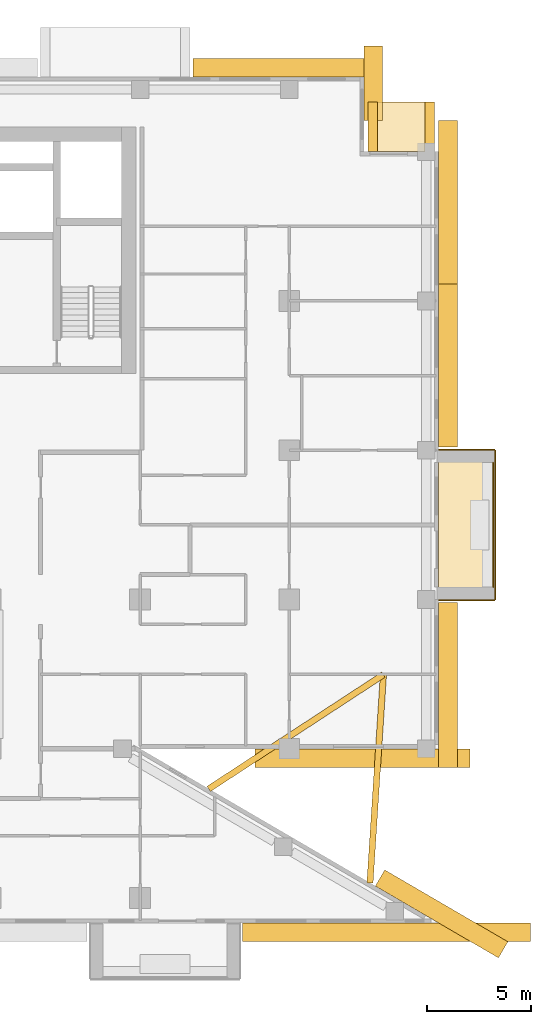
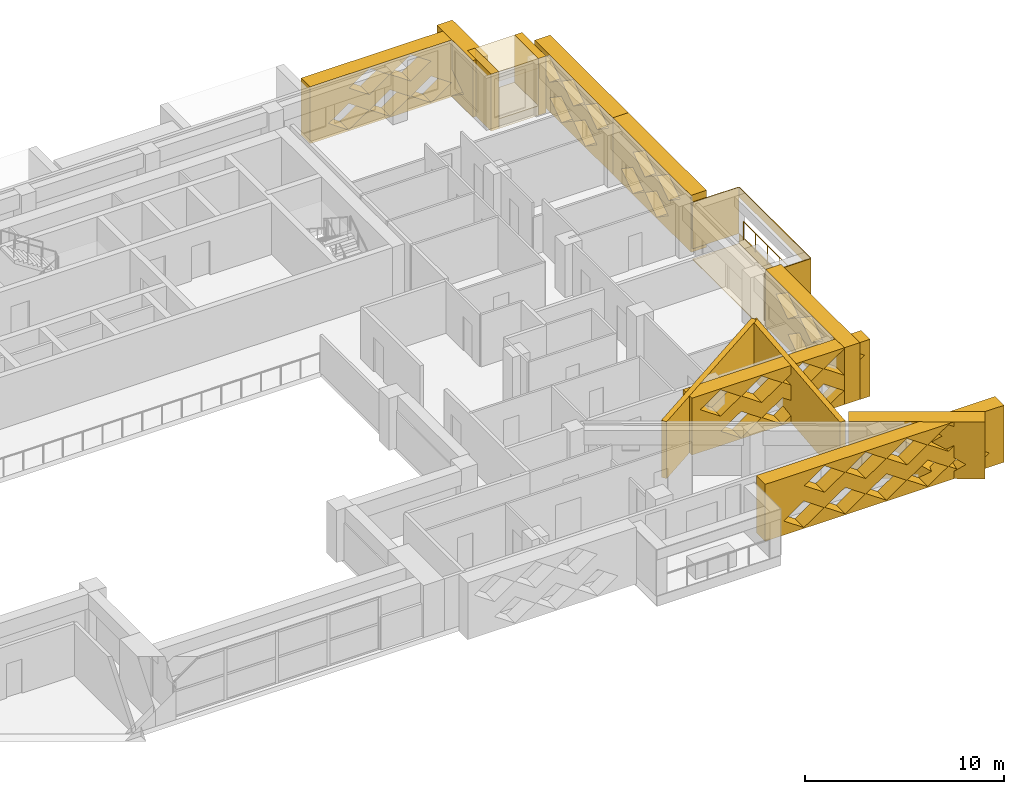
# One storey, part 20 of 20: 19 coverings, 1 railing.
"""IFC4 building model written with IfcOpenShell, lengths in metres."""

from ifc_helpers import new_model, si_unit, direction, frame, origin, origin_2d, place, context, subcontext, project, spatial, polyline, circle, outline, extrude, material, layer, layer_set, type_object, element, save


model = new_model("IFC4")

# Units and contexts
model_context = context("Model", 3, precision=1e-05, world=origin(), true_north=direction((0.0, 1.0)))
body_context = subcontext(model_context, "Body", "Model", "MODEL_VIEW")
ifc_project = project(units=[si_unit("LENGTHUNIT", "METRE"), si_unit("AREAUNIT", "SQUARE_METRE"), si_unit("VOLUMEUNIT", "CUBIC_METRE"), si_unit("PLANEANGLEUNIT", "RADIAN"), si_unit("MASSUNIT", "GRAM", prefix="KILO")], contexts=[model_context])

# Site, building, storey
site_placement = place(None, origin())
site = spatial("IfcSite", under=ifc_project, at=site_placement, CompositionType="ELEMENT")
building_placement = place(site_placement, origin())
building = spatial("IfcBuilding", under=site, at=building_placement, Name="Saffron Iwan Residences", CompositionType="ELEMENT")
storey_placement = place(building_placement, frame((0.0, 0.0, 146.5)))
storey = spatial("IfcBuildingStorey", under=building, at=storey_placement, Name="L38", CompositionType="ELEMENT", Elevation=146.5)

# Railing
ifc_material_1 = material(Name="Stainless steel 316", Category="steel")
railing_type = type_object("IfcRailingType", Name="BALCONY GUARD 1150", PredefinedType="GUARDRAIL", material=ifc_material_1)
railing_placement = place(storey_placement, frame((89.02490234375, 55.800048828125, 0.0)))
element("IfcRailing", 1, at=railing_placement, inside=storey, type_object=railing_type, Name="Balcony guard L38 F2-0", PredefinedType="GUARDRAIL", context=body_context, shape_type="SweptSolid", body=[
    extrude(circle(Radius=0.02392578125, at=origin_2d()), frame((0.0, 0.0, 1.1259765625), z_axis=(0.0, 1.0, 0.0), x_axis=(-1.0, 0.0, 0.0)), (0.0, 0.0, 1.0), 6.0),
    extrude(circle(Radius=0.02099609375, at=origin_2d()), origin(), (0.0, 0.0, 1.0), 1.101806640625),
    extrude(circle(Radius=0.02099609375, at=origin_2d()), frame((0.0, 1.199951171875, 0.0)), (0.0, 0.0, 1.0), 1.101806640625),
    extrude(circle(Radius=0.02099609375, at=origin_2d()), frame((0.0, 2.39990234375, 0.0)), (0.0, 0.0, 1.0), 1.101806640625),
    extrude(circle(Radius=0.02099609375, at=origin_2d()), frame((0.0, 3.60009765625, 0.0)), (0.0, 0.0, 1.0), 1.101806640625),
    extrude(circle(Radius=0.02099609375, at=origin_2d()), frame((0.0, 4.800048828125, 0.0)), (0.0, 0.0, 1.0), 1.101806640625),
    extrude(circle(Radius=0.02099609375, at=origin_2d()), frame((0.0, 6.0, 0.0)), (0.0, 0.0, 1.0), 1.101806640625),
])

# Coverings
ifc_material_2 = material(Name="Precast concrete C40/50 white painted", Category="concrete")
ifc_layer_1 = layer(ifc_material_2, 0.050048828125)
ifc_layer_set_1 = layer_set([ifc_layer_1], Name="Precast concrete C40/50 white painted")
covering_type_1 = type_object("IfcCoveringType", Name="FRAME SKIN PRECAST WHITE 50", PredefinedType="CLADDING", material=ifc_layer_set_1)
for number, where, name in (
    (2, (0.0, 0.0, -0.60009765625), "Frame skin slab edge L38 F2-0"),
    (3, (0.0, 0.0, 2.25), "Frame skin fascia L38 F2-0"),
):
    element("IfcCovering", number, at=place(storey_placement, frame(where)), inside=storey, type_object=covering_type_1, Name=name, PredefinedType="CLADDING", context=body_context, shape_type="SweptSolid", body=[
        extrude(outline(polyline([(89.14990234375, 55.199951171875), (89.14990234375, 62.39990234375), (89.10009765625, 62.39990234375), (89.10009765625, 55.199951171875), (89.14990234375, 55.199951171875)])), origin(), (0.0, 0.0, 1.0), 0.60009765625),
    ])
covering_1_placement = place(storey_placement, frame((0.0, 0.0, -0.64990234375)))
element("IfcCovering", 4, at=covering_1_placement, inside=storey, type_object=covering_type_1, Name="Frame skin soffit L38 F2-0", PredefinedType="CLADDING", context=body_context, shape_type="SweptSolid", body=[
    extrude(outline(polyline([(89.10009765625, 55.199951171875), (89.10009765625, 62.39990234375), (86.39990234375, 62.39990234375), (86.39990234375, 55.199951171875), (89.10009765625, 55.199951171875)])), origin(), (0.0, 0.0, 1.0), 0.0498046875),
])
covering_2_placement = place(storey_placement, origin())
element("IfcCovering", 5, at=covering_2_placement, inside=storey, type_object=covering_type_1, Name="Frame skin fin L38 F2-0a", PredefinedType="CLADDING", context=body_context, shape_type="SweptSolid", body=[
    extrude(outline(polyline([(89.10009765625, 55.14990234375), (89.10009765625, 55.199951171875), (86.39990234375, 55.199951171875), (86.39990234375, 55.14990234375), (89.10009765625, 55.14990234375)])), origin(), (0.0, 0.0, 1.0), 2.85009765625),
])
covering_3_placement = place(storey_placement, origin())
element("IfcCovering", 6, at=covering_3_placement, inside=storey, type_object=covering_type_1, Name="Frame skin fin L38 F2-0b", PredefinedType="CLADDING", context=body_context, shape_type="SweptSolid", body=[
    extrude(outline(polyline([(89.10009765625, 62.39990234375), (89.10009765625, 62.449951171875), (86.39990234375, 62.449951171875), (86.39990234375, 62.39990234375), (89.10009765625, 62.39990234375)])), origin(), (0.0, 0.0, 1.0), 2.85009765625),
])
ifc_material_3 = material(Name="Precast concrete C40/50", Category="concrete")
covering_type_2 = type_object("IfcCoveringType", Name="OUTER SKIN LATTICE SCREEN", PredefinedType="CLADDING", material=ifc_material_3)
covering_4_placement = place(storey_placement, frame((89.283935546875, 37.917724609375, -0.300048828125), z_axis=(0.503803550485, 0.863818257806, 0.0), x_axis=(-0.863818257806, 0.503803550485, 0.0)))
element("IfcCovering", 7, at=covering_4_placement, inside=storey, type_object=covering_type_2, Name="OUTER SKIN lattice screen L38 F0.0", PredefinedType="CLADDING", context=body_context, shape_type="SweptSolid", body=[
    extrude(outline(polyline([(0.0, 0.0), (6.874267578125, 0.0), (6.874267578125, 3.5), (0.0, 3.5), (0.0, 0.0)]), holes=[polyline([(0.958740234375, 0.875), (2.138671875, 0.06005859375), (3.318603515625, 0.875), (2.138671875, 1.68994140625), (0.958740234375, 0.875)]), polyline([(3.358642578125, 0.875), (4.538818359375, 0.06005859375), (5.71875, 0.875), (4.538818359375, 1.68994140625), (3.358642578125, 0.875)]), polyline([(2.15869140625, 2.625), (3.338623046875, 1.81005859375), (4.518798828125, 2.625), (3.338623046875, 3.43994140625), (2.15869140625, 2.625)])]), origin(), (0.0, 0.0, 1.0), 0.89990234375),
])
covering_5_placement = place(storey_placement, frame((77.538818359375, 48.0, -0.300048828125), z_axis=(0.0, -1.0, 0.0), x_axis=(1.0, 0.0, 0.0)))
element("IfcCovering", 8, at=covering_5_placement, inside=storey, type_object=covering_type_2, Name="OUTER SKIN lattice screen L38 F1.0", PredefinedType="CLADDING", context=body_context, shape_type="SweptSolid", body=[
    extrude(outline(polyline([(0.0, 0.0), (10.361328125, 0.0), (10.361328125, 3.5), (0.0, 3.5), (0.0, 0.0)]), holes=[polyline([(1.681396484375, 0.875), (2.861328125, 0.06005859375), (4.041259765625, 0.875), (2.861328125, 1.68994140625), (1.681396484375, 0.875)]), polyline([(4.081298828125, 0.875), (5.26123046875, 0.06005859375), (6.44140625, 0.875), (5.26123046875, 1.68994140625), (4.081298828125, 0.875)]), polyline([(6.481201171875, 0.875), (7.661376953125, 0.06005859375), (8.84130859375, 0.875), (7.661376953125, 1.68994140625), (6.481201171875, 0.875)]), polyline([(0.481201171875, 2.625), (1.661376953125, 1.81005859375), (2.84130859375, 2.625), (1.661376953125, 3.43994140625), (0.481201171875, 2.625)]), polyline([(2.88134765625, 2.625), (4.061279296875, 1.81005859375), (5.2412109375, 2.625), (4.061279296875, 3.43994140625), (2.88134765625, 2.625)]), polyline([(5.28125, 2.625), (6.461181640625, 1.81005859375), (7.641357421875, 2.625), (6.461181640625, 3.43994140625), (5.28125, 2.625)]), polyline([(7.681396484375, 2.625), (8.861328125, 1.81005859375), (10.041259765625, 2.625), (8.861328125, 3.43994140625), (7.681396484375, 2.625)])]), origin(), (0.0, 0.0, 1.0), 0.89990234375),
])
covering_6_placement = place(storey_placement, frame((86.39990234375, 47.10009765625, -0.300048828125), z_axis=(1.0, 0.0, 0.0), x_axis=(0.0, 1.0, 0.0)))
element("IfcCovering", 9, at=covering_6_placement, inside=storey, type_object=covering_type_2, Name="OUTER SKIN lattice screen L38 F2.0", PredefinedType="CLADDING", context=body_context, shape_type="SweptSolid", body=[
    extrude(outline(polyline([(0.0, 0.0), (7.949951171875, 0.0), (7.949951171875, 3.5), (0.0, 3.5), (0.0, 0.0)]), holes=[polyline([(0.919921875, 0.875), (2.10009765625, 0.06005859375), (3.280029296875, 0.875), (2.10009765625, 1.68994140625), (0.919921875, 0.875)]), polyline([(3.320068359375, 0.875), (4.5, 0.06005859375), (5.679931640625, 0.875), (4.5, 1.68994140625), (3.320068359375, 0.875)]), polyline([(2.1201171875, 2.625), (3.300048828125, 1.81005859375), (4.47998046875, 2.625), (3.300048828125, 3.43994140625), (2.1201171875, 2.625)]), polyline([(4.52001953125, 2.625), (5.699951171875, 1.81005859375), (6.8798828125, 2.625), (5.699951171875, 3.43994140625), (4.52001953125, 2.625)])]), origin(), (0.0, 0.0, 1.0), 0.900146484375),
])
covering_7_placement = place(storey_placement, frame((86.39990234375, 62.550048828125, -0.300048828125), z_axis=(1.0, 0.0, 0.0), x_axis=(0.0, 1.0, 0.0)))
element("IfcCovering", 10, at=covering_7_placement, inside=storey, type_object=covering_type_2, Name="OUTER SKIN lattice screen L38 F2.1", PredefinedType="CLADDING", context=body_context, shape_type="SweptSolid", body=[
    extrude(outline(polyline([(0.0, 0.0), (7.875, 0.0), (7.875, 3.5), (0.0, 3.5), (0.0, 0.0)]), holes=[polyline([(2.27001953125, 0.875), (3.449951171875, 0.06005859375), (4.6298828125, 0.875), (3.449951171875, 1.68994140625), (2.27001953125, 0.875)]), polyline([(4.669921875, 0.875), (5.85009765625, 0.06005859375), (7.030029296875, 0.875), (5.85009765625, 1.68994140625), (4.669921875, 0.875)]), polyline([(1.070068359375, 2.625), (2.25, 1.81005859375), (3.429931640625, 2.625), (2.25, 3.43994140625), (1.070068359375, 2.625)]), polyline([(3.469970703125, 2.625), (4.64990234375, 1.81005859375), (5.830078125, 2.625), (4.64990234375, 3.43994140625), (3.469970703125, 2.625)])]), origin(), (0.0, 0.0, 1.0), 0.900146484375),
])
covering_8_placement = place(storey_placement, frame((86.39990234375, 70.425048828125, -0.300048828125), z_axis=(1.0, 0.0, 0.0), x_axis=(0.0, 1.0, 0.0)))
element("IfcCovering", 11, at=covering_8_placement, inside=storey, type_object=covering_type_2, Name="OUTER SKIN lattice screen L38 F2.2", PredefinedType="CLADDING", context=body_context, shape_type="SweptSolid", body=[
    extrude(outline(polyline([(0.0, 0.0), (7.875, 0.0), (7.875, 3.5), (0.0, 3.5), (0.0, 0.0)]), holes=[polyline([(1.594970703125, 0.875), (2.77490234375, 0.06005859375), (3.955078125, 0.875), (2.77490234375, 1.68994140625), (1.594970703125, 0.875)]), polyline([(3.9951171875, 0.875), (5.175048828125, 0.06005859375), (6.35498046875, 0.875), (5.175048828125, 1.68994140625), (3.9951171875, 0.875)]), polyline([(0.39501953125, 2.625), (1.574951171875, 1.81005859375), (2.7548828125, 2.625), (1.574951171875, 3.43994140625), (0.39501953125, 2.625)]), polyline([(2.794921875, 2.625), (3.97509765625, 1.81005859375), (5.155029296875, 2.625), (3.97509765625, 3.43994140625), (2.794921875, 2.625)]), polyline([(5.195068359375, 2.625), (6.375, 1.81005859375), (7.554931640625, 2.625), (6.375, 3.43994140625), (5.195068359375, 2.625)])]), origin(), (0.0, 0.0, 1.0), 0.900146484375),
])
covering_9_placement = place(storey_placement, frame((82.800048828125, 78.300048828125, -0.300048828125), z_axis=(1.0, 0.0, 0.0), x_axis=(0.0, 1.0, 0.0)))
element("IfcCovering", 12, at=covering_9_placement, inside=storey, type_object=covering_type_2, Name="OUTER SKIN lattice screen L38 F4.0", PredefinedType="CLADDING", context=body_context, shape_type="SweptSolid", body=[
    extrude(outline(polyline([(0.0, 0.0), (3.60009765625, 0.0), (3.60009765625, 3.5), (0.0, 3.5), (0.0, 0.0)]), holes=[polyline([(0.919921875, 0.875), (2.10009765625, 0.06005859375), (3.280029296875, 0.875), (2.10009765625, 1.68994140625), (0.919921875, 0.875)])]), origin(), (0.0, 0.0, 1.0), 0.89990234375),
])
covering_10_placement = place(storey_placement, frame((83.699951171875, 80.39990234375, -0.300048828125), z_axis=(0.0, 1.0, 0.0), x_axis=(-1.0, 0.0, 0.0)))
element("IfcCovering", 13, at=covering_10_placement, inside=storey, type_object=covering_type_2, Name="OUTER SKIN lattice screen L38 F5.0", PredefinedType="CLADDING", context=body_context, shape_type="SweptSolid", body=[
    extrude(outline(polyline([(0.0, 0.0), (9.14990234375, 0.0), (9.14990234375, 3.5), (0.0, 3.5), (0.0, 0.0)]), holes=[polyline([(0.919921875, 0.875), (2.10009765625, 0.06005859375), (3.280029296875, 0.875), (2.10009765625, 1.68994140625), (0.919921875, 0.875)]), polyline([(3.320068359375, 0.875), (4.5, 0.06005859375), (5.679931640625, 0.875), (4.5, 1.68994140625), (3.320068359375, 0.875)]), polyline([(5.719970703125, 0.875), (6.89990234375, 0.06005859375), (8.080078125, 0.875), (6.89990234375, 1.68994140625), (5.719970703125, 0.875)]), polyline([(2.1201171875, 2.625), (3.300048828125, 1.81005859375), (4.47998046875, 2.625), (3.300048828125, 3.43994140625), (2.1201171875, 2.625)]), polyline([(4.52001953125, 2.625), (5.699951171875, 1.81005859375), (6.8798828125, 2.625), (5.699951171875, 3.43994140625), (4.52001953125, 2.625)])]), origin(), (0.0, 0.0, 1.0), 0.900146484375),
])
covering_11_placement = place(storey_placement, frame((76.949951171875, 39.60009765625, -0.300048828125), z_axis=(0.0, -1.0, 0.0), x_axis=(1.0, 0.0, 0.0)))
element("IfcCovering", 14, at=covering_11_placement, inside=storey, type_object=covering_type_2, Name="OUTER SKIN lattice screen L38 F11.3", PredefinedType="CLADDING", context=body_context, shape_type="SweptSolid", body=[
    extrude(outline(polyline([(0.0, 0.0), (13.888671875, 0.0), (13.888671875, 3.5), (0.0, 3.5), (0.0, 0.0)]), holes=[polyline([(1.070068359375, 0.875), (2.25, 0.06005859375), (3.429931640625, 0.875), (2.25, 1.68994140625), (1.070068359375, 0.875)]), polyline([(3.469970703125, 0.875), (4.64990234375, 0.06005859375), (5.830078125, 0.875), (4.64990234375, 1.68994140625), (3.469970703125, 0.875)]), polyline([(5.8701171875, 0.875), (7.050048828125, 0.06005859375), (8.22998046875, 0.875), (7.050048828125, 1.68994140625), (5.8701171875, 0.875)]), polyline([(8.27001953125, 0.875), (9.449951171875, 0.06005859375), (10.6298828125, 0.875), (9.449951171875, 1.68994140625), (8.27001953125, 0.875)]), polyline([(10.669921875, 0.875), (11.85009765625, 0.06005859375), (13.030029296875, 0.875), (11.85009765625, 1.68994140625), (10.669921875, 0.875)]), polyline([(2.27001953125, 2.625), (3.449951171875, 1.81005859375), (4.6298828125, 2.625), (3.449951171875, 3.43994140625), (2.27001953125, 2.625)]), polyline([(4.669921875, 2.625), (5.85009765625, 1.81005859375), (7.030029296875, 2.625), (5.85009765625, 3.43994140625), (4.669921875, 2.625)]), polyline([(7.070068359375, 2.625), (8.25, 1.81005859375), (9.429931640625, 2.625), (8.25, 3.43994140625), (7.070068359375, 2.625)]), polyline([(9.469970703125, 2.625), (10.64990234375, 1.81005859375), (11.830078125, 2.625), (10.64990234375, 3.43994140625), (9.469970703125, 2.625)])]), origin(), (0.0, 0.0, 1.0), 0.900146484375),
])
ifc_layer_2 = layer(ifc_material_2, 0.300048828125)
ifc_layer_set_2 = layer_set([ifc_layer_2], Name="Precast concrete C40/50 white painted")
covering_type_3 = type_object("IfcCoveringType", Name="PROW NOSE BLADE PRECAST WHITE", PredefinedType="CLADDING", material=ifc_layer_set_2)
covering_12_placement = place(storey_placement, frame((0.0, 0.0, -0.300048828125)))
element("IfcCovering", 15, at=covering_12_placement, inside=storey, type_object=covering_type_3, Name="Prow nose blade L38 a", PredefinedType="CLADDING", context=body_context, shape_type="SweptSolid", body=[
    extrude(outline(polyline([(83.23681640625, 41.52294921875), (83.884521484375, 51.564453125), (83.585205078125, 51.583740234375), (82.937255859375, 41.542236328125), (83.23681640625, 41.52294921875)])), origin(), (0.0, 0.0, 1.0), 3.5),
])
covering_13_placement = place(storey_placement, frame((0.0, 0.0, -0.300048828125)))
element("IfcCovering", 16, at=covering_13_placement, inside=storey, type_object=covering_type_3, Name="Prow nose blade L38 b", PredefinedType="CLADDING", context=body_context, shape_type="SweptSolid", body=[
    extrude(outline(polyline([(75.39501953125, 45.94189453125), (83.81689453125, 51.448486328125), (83.65283203125, 51.69970703125), (75.23095703125, 46.193115234375), (75.39501953125, 45.94189453125)])), origin(), (0.0, 0.0, 1.0), 3.5),
])
covering_type_4 = type_object("IfcCoveringType", Name="WHITE SUN FRAME PRECAST", PredefinedType="CLADDING", material=ifc_material_2)
for number, where, z_axis, x_axis, name in (
    (17, (86.199951171875, 76.800048828125, -0.300048828125), (0.0, 1.0, 0.0), (-1.0, 0.0, 0.0), "Sun frame L38 F3 0.2a"),
    (18, (83.449951171875, 76.800048828125, -0.300048828125), (0.0, 1.0, 0.0), (-1.0, 0.0, 0.0), "Sun frame L38 F3 0.2b"),
):
    element("IfcCovering", number, at=place(storey_placement, frame(where, z_axis=z_axis, x_axis=x_axis)), inside=storey, type_object=covering_type_4, Name=name, PredefinedType="CLADDING", context=body_context, shape_type="SweptSolid", body=[
        extrude(outline(polyline([(0.0, 0.0), (0.449951171875, 0.0), (0.449951171875, 3.5), (0.0, 3.5), (0.0, 0.0)])), origin(), (0.0, 0.0, 1.0), 2.39990234375),
    ])
for number, where, z_axis, x_axis, name in (
    (19, (85.75, 76.800048828125, 2.60009765625), (0.0, 1.0, 0.0), (-1.0, 0.0, 0.0), "Sun frame L38 F3 0.2h"),
    (20, (85.75, 76.800048828125, -0.300048828125), (0.0, 1.0, 0.0), (-1.0, 0.0, 0.0), "Sun frame L38 F3 0.2s"),
):
    element("IfcCovering", number, at=place(storey_placement, frame(where, z_axis=z_axis, x_axis=x_axis)), inside=storey, type_object=covering_type_4, Name=name, PredefinedType="CLADDING", context=body_context, shape_type="SweptSolid", body=[
        extrude(outline(polyline([(0.0, 0.0), (2.300048828125, 0.0), (2.300048828125, 0.60009765625), (0.0, 0.60009765625), (0.0, 0.0)])), origin(), (0.0, 0.0, 1.0), 2.39990234375),
    ])

save(model, "model.ifc")
